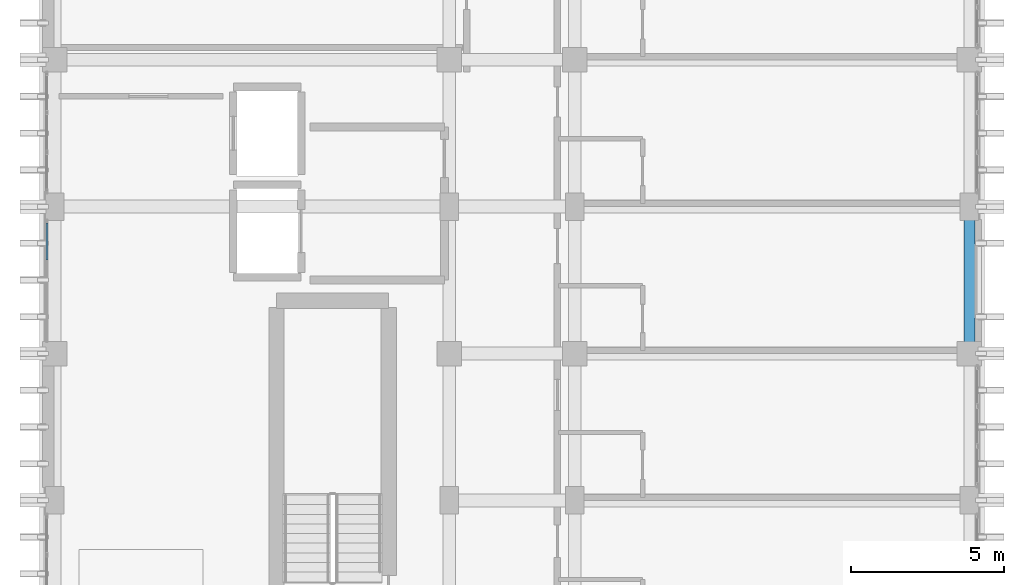
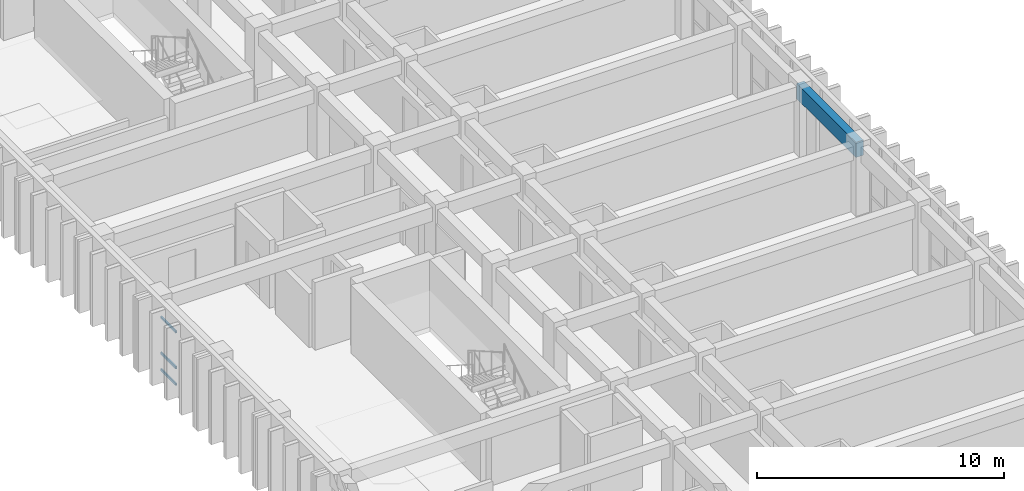
# One storey, part 36 of 82: 3 members, 1 beam, 1 element without a shape of its own.
"""IFC4 building model written with IfcOpenShell, lengths in metres."""

from ifc_helpers import new_model, si_unit, direction, frame, origin, origin_2d, place, context, subcontext, project, spatial, rectangle, hollow_rectangle, extrude, material, layer, layer_set, material_profile, profile_set, type_object, element, aggregate, save


model = new_model("IFC4")

# Units and contexts
model_context = context("Model", 3, precision=1e-05, world=origin(), true_north=direction((0.0, 1.0)))
body_context = subcontext(model_context, "Body", "Model", "MODEL_VIEW")
ifc_project = project(units=[si_unit("LENGTHUNIT", "METRE"), si_unit("AREAUNIT", "SQUARE_METRE"), si_unit("VOLUMEUNIT", "CUBIC_METRE"), si_unit("PLANEANGLEUNIT", "RADIAN"), si_unit("MASSUNIT", "GRAM", prefix="KILO")], contexts=[model_context])

# Site, building, storey
site_placement = place(None, origin())
site = spatial("IfcSite", under=ifc_project, at=site_placement, CompositionType="ELEMENT")
building_placement = place(site_placement, origin())
building = spatial("IfcBuilding", under=site, at=building_placement, Name="Nakhvara Creek Congress Hotel", CompositionType="ELEMENT")
storey_placement = place(building_placement, frame((0.0, 0.0, 21.0)))
storey = spatial("IfcBuildingStorey", under=building, at=storey_placement, Name="L04", CompositionType="ELEMENT", Elevation=21.0)

# Beam
ifc_material_1 = material(Name="Concrete C40/50", Category="concrete")
ifc_material_profile_1 = material_profile(ifc_material_1, rectangle(XDim=0.35009765625, YDim=0.75, at=origin_2d()), Name="RC-SPANDREL 350x750", Category="LoadBearing")
ifc_profile_set_1 = profile_set([ifc_material_profile_1], Name="Concrete C40/50")
beam_type = type_object("IfcBeamType", Name="BM-SPN-350X750", PredefinedType="SPANDREL", material=ifc_profile_set_1)
beam_placement = place(storey_placement, frame((179.35009765625, 86.39990234375, 2.965087890625), z_axis=(0.0, 1.0, 0.0), x_axis=(-1.0, 0.0, 0.0)))
element("IfcBeam", 1, at=beam_placement, inside=storey, type_object=beam_type, Name="Beam SP1-L04-2021", PredefinedType="SPANDREL", context=body_context, shape_type="SweptSolid", body=[
    extrude(rectangle(XDim=0.35009765625, YDim=0.75, at=origin_2d()), origin(), (0.0, 0.0, 1.0), 4.800048828125),
])

# Curtain wall, members
ifc_material_2 = material(Name="Bronze-anodised aluminium AW-6063-T6 and double-silver low-E glass", Category="aluminium")
ifc_layer = layer(ifc_material_2, 0.199951171875)
ifc_layer_set = layer_set([ifc_layer], Name="Bronze-anodised aluminium AW-6063-T6 and double-silver low-E glass")
curtain_wall_type = type_object("IfcCurtainWallType", Name="CW-HTL-UNIT", PredefinedType="USERDEFINED", material=ifc_layer_set)
curtain_wall_placement = place(storey_placement, origin())
curtain_wall = element("IfcCurtainWall", 2, at=curtain_wall_placement, inside=storey, type_object=curtain_wall_type, Name="Curtain Wall CW191", ObjectType="UNITISED", PredefinedType="USERDEFINED")
ifc_material_3 = material(Name="Bronze-anodised aluminium AW-6063-T6", Category="aluminium")
ifc_material_profile_2 = material_profile(ifc_material_3, hollow_rectangle(XDim=0.06494140625, YDim=0.1201171875, WallThickness=0.00390625, at=origin_2d()), Name="ALU-TRAN 65x120x4", Category="LoadBearing")
ifc_profile_set_2 = profile_set([ifc_material_profile_2], Name="Bronze-anodised aluminium AW-6063-T6")
member_type = type_object("IfcMemberType", Name="CW-TRAN-120", PredefinedType="USERDEFINED", material=ifc_profile_set_2)
member_1_placement = place(storey_placement, frame((149.199951171875, 89.4609375, 0.032470703125), z_axis=(0.0, 1.0, 0.0), x_axis=(-1.0, 0.0, 0.0)))
member_1 = element("IfcMember", 3, at=member_1_placement, type_object=member_type, Name="CW191 transom 3.1", ObjectType="TRANSOM", PredefinedType="USERDEFINED", context=body_context, shape_type="SweptSolid", body=[
    extrude(hollow_rectangle(XDim=0.06494140625, YDim=0.1201171875, WallThickness=0.00390625, at=origin_2d()), origin(), (0.0, 0.0, 1.0), 1.208984375),
])
member_2_placement = place(storey_placement, frame((149.199951171875, 89.4609375, 0.85009765625), z_axis=(0.0, 1.0, 0.0), x_axis=(-1.0, 0.0, 0.0)))
member_2 = element("IfcMember", 4, at=member_2_placement, type_object=member_type, Name="CW191 transom 3.2", ObjectType="TRANSOM", PredefinedType="USERDEFINED", context=body_context, shape_type="SweptSolid", body=[
    extrude(hollow_rectangle(XDim=0.06494140625, YDim=0.1201171875, WallThickness=0.00390625, at=origin_2d()), origin(), (0.0, 0.0, 1.0), 1.208984375),
])
member_3_placement = place(storey_placement, frame((149.199951171875, 89.4609375, 2.619384765625), z_axis=(0.0, 1.0, 0.0), x_axis=(-1.0, 0.0, 0.0)))
member_3 = element("IfcMember", 5, at=member_3_placement, type_object=member_type, Name="CW191 transom 3.3", ObjectType="TRANSOM", PredefinedType="USERDEFINED", context=body_context, shape_type="SweptSolid", body=[
    extrude(hollow_rectangle(XDim=0.06494140625, YDim=0.1201171875, WallThickness=0.00390625, at=origin_2d()), origin(), (0.0, 0.0, 1.0), 1.208984375),
])
aggregate(curtain_wall, [member_1, member_2, member_3])

save(model, "model.ifc")
